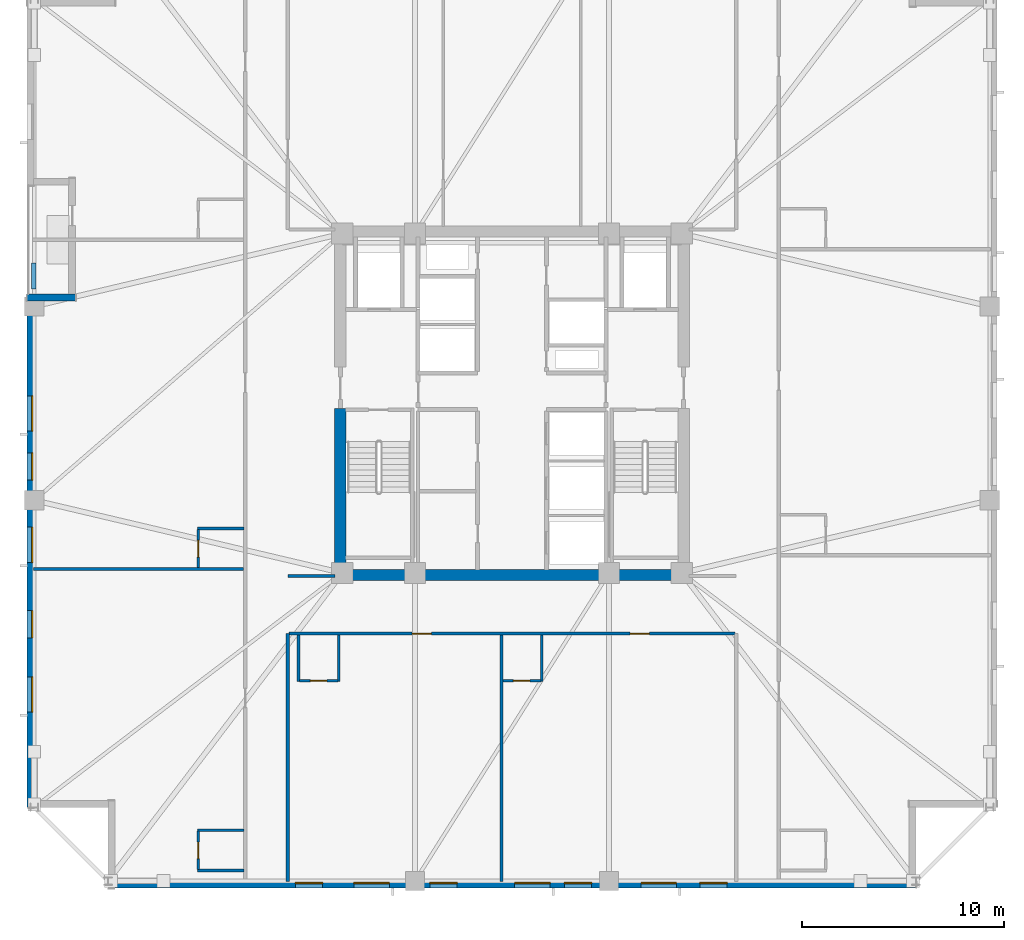
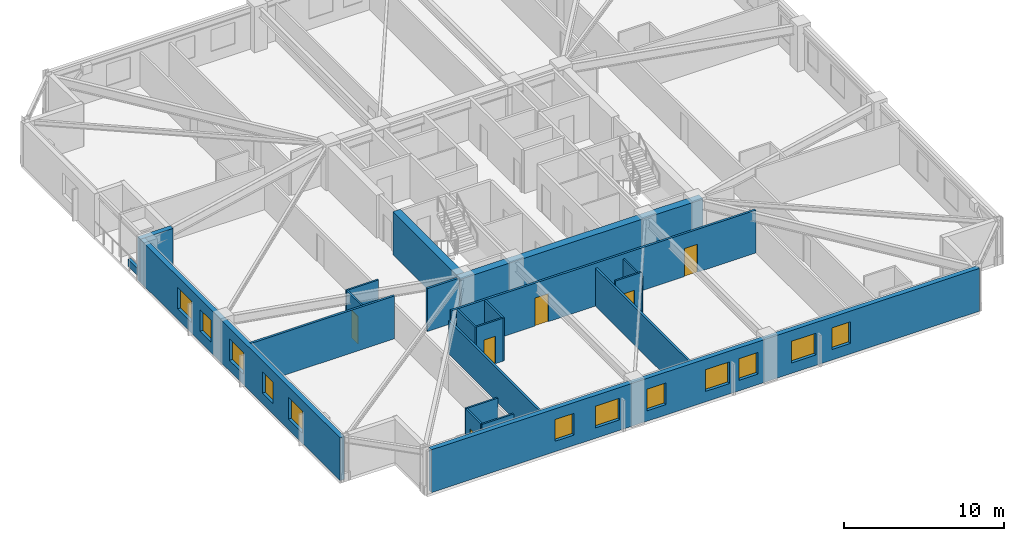
# One storey, part 2 of 10: 21 walls, 12 windows, 6 doors, 18 openings.
"""IFC4 building model written with IfcOpenShell, lengths in metres."""

from ifc_helpers import new_model, si_unit, direction, frame, frame_2d, origin, place, context, subcontext, project, spatial, rectangle, extrude, material, layer, layer_set, type_object, element, fill, save


model = new_model("IFC4")

# Units and contexts
model_context = context("Model", 3, precision=1e-05, world=origin(), true_north=direction((0.0, 1.0)))
body_context = subcontext(model_context, "Body", "Model", "MODEL_VIEW")
ifc_project = project(units=[si_unit("LENGTHUNIT", "METRE"), si_unit("AREAUNIT", "SQUARE_METRE"), si_unit("VOLUMEUNIT", "CUBIC_METRE"), si_unit("PLANEANGLEUNIT", "RADIAN"), si_unit("MASSUNIT", "GRAM", prefix="KILO")], contexts=[model_context])

# Site, building, storey
site_placement = place(None, origin())
site = spatial("IfcSite", under=ifc_project, at=site_placement, CompositionType="ELEMENT")
building_placement = place(site_placement, origin())
building = spatial("IfcBuilding", under=site, at=building_placement, Name="Cairnveth Concourse Tower", CompositionType="ELEMENT")
storey_placement = place(building_placement, frame((0.0, 0.0, 109.5)))
storey = spatial("IfcBuildingStorey", under=building, at=storey_placement, Name="L29", CompositionType="ELEMENT", Elevation=109.5)

# Walls
ifc_material_1 = material(Name="Gypsum Plasterboard Partition", Category="gypsum")
ifc_layer_1 = layer(ifc_material_1, 0.159912109375)
ifc_layer_set_1 = layer_set([ifc_layer_1], Name="Gypsum Plasterboard Partition")
wall_type_1 = type_object("IfcWallType", Name="ACOUSTIC PARTY WALL 180", PredefinedType="PARTITIONING", material=ifc_layer_set_1)
wall_1_placement = place(storey_placement, frame((40.89990234375, 15.324951171875, 0.0), z_axis=(0.0, 0.0, 1.0), x_axis=(0.0, 1.0, 0.0)))
element("IfcWall", 1, at=wall_1_placement, inside=storey, type_object=wall_type_1, Name="Interior Wall IW-L29-037", PredefinedType="PARTITIONING", context=body_context, shape_type="SweptSolid", body=[
    extrude(rectangle(XDim=12.275146484375, YDim=0.159912109375, at=frame_2d((6.1376953125, 0.0))), origin(), (0.0, 0.0, 1.0), 2.554931640625),
])
wall_2_placement = place(storey_placement, frame((40.89990234375, 30.449951171875, 0.0), z_axis=(0.0, 0.0, 1.0), x_axis=(1.0, 0.0, 0.0)))
element("IfcWall", 2, at=wall_2_placement, inside=storey, type_object=wall_type_1, Name="Interior Wall IW-L29-039", PredefinedType="PARTITIONING", context=body_context, shape_type="SweptSolid", body=[
    extrude(rectangle(XDim=2.335205078125, YDim=0.159912109375, at=frame_2d((1.16748046875, 0.0))), origin(), (0.0, 0.0, 1.0), 3.280029296875),
])

# Wall, openings, doors
wall_3_placement = place(storey_placement, frame((40.965087890625, 27.60009765625, 0.0), z_axis=(0.0, 0.0, 1.0), x_axis=(1.0, 0.0, 0.0)))
wall_3 = element("IfcWall", 3, at=wall_3_placement, inside=storey, type_object=wall_type_1, Name="Interior Wall IW-L29-046", PredefinedType="PARTITIONING", context=body_context, shape_type="SweptSolid", body=[
    extrude(rectangle(XDim=22.06982421875, YDim=0.159912109375, at=frame_2d((11.034912109375, 0.0))), origin(), (0.0, 0.0, 1.0), 3.280029296875),
])
opening_1_placement = place(wall_3_placement, frame((6.0849609375, 0.0, 0.0)))
opening_1 = element("IfcOpeningElement", 4, at=opening_1_placement, cuts=wall_3, Name="Opening ID09", PredefinedType="OPENING", context=body_context, shape_type="SweptSolid", body=[
    extrude(rectangle(XDim=0.9599609375, YDim=2.14990234375, at=frame_2d((0.47998046875, 1.074951171875))), frame((0.0, 0.08984375, 0.0), z_axis=(0.0, -1.0, 0.0), x_axis=(1.0, 0.0, 0.0)), (0.0, 0.0, 1.0), 0.179931640625),
])
opening_2_placement = place(wall_3_placement, frame((16.8798828125, 0.0, 0.0)))
opening_2 = element("IfcOpeningElement", 5, at=opening_2_placement, cuts=wall_3, Name="Opening ID09", PredefinedType="OPENING", context=body_context, shape_type="SweptSolid", body=[
    extrude(rectangle(XDim=0.9599609375, YDim=2.14990234375, at=frame_2d((0.47998046875, 1.074951171875))), frame((0.0, 0.08984375, 0.0), z_axis=(0.0, -1.0, 0.0), x_axis=(1.0, 0.0, 0.0)), (0.0, 0.0, 1.0), 0.179931640625),
])
ifc_material_2 = material(Name="Solid Core Hardwood Timber Leaf", Category="wood")
door_type_1 = type_object("IfcDoorType", Name="HOTEL ENTRANCE DOOR 960X2150", OperationType="NOTDEFINED", PredefinedType="DOOR", material=ifc_material_2)
door_1_placement = place(opening_1_placement, origin())
door_1 = element("IfcDoor", 6, at=door_1_placement, inside=storey, type_object=door_type_1, Name="Hotel Room Door L29-S1", OperationType="SINGLE_SWING_LEFT", OverallHeight=2.14990234375, OverallWidth=0.9599609375, PredefinedType="DOOR", context=body_context, shape_type="SweptSolid", body=[
    extrude(rectangle(XDim=0.9599609375, YDim=2.14990234375, at=frame_2d((0.47998046875, 1.074951171875))), frame((0.0, 0.02490234375, 0.0), z_axis=(0.0, -1.0, 0.0), x_axis=(1.0, 0.0, 0.0)), (0.0, 0.0, 1.0), 0.050048828125),
])
fill(opening_1, door_1)
door_2_placement = place(opening_2_placement, origin())
door_2 = element("IfcDoor", 7, at=door_2_placement, inside=storey, type_object=door_type_1, Name="Hotel Room Door L29-S2", OperationType="SINGLE_SWING_LEFT", OverallHeight=2.14990234375, OverallWidth=0.9599609375, PredefinedType="DOOR", context=body_context, shape_type="SweptSolid", body=[
    extrude(rectangle(XDim=0.9599609375, YDim=2.14990234375, at=frame_2d((0.47998046875, 1.074951171875))), frame((0.0, 0.02490234375, 0.0), z_axis=(0.0, -1.0, 0.0), x_axis=(1.0, 0.0, 0.0)), (0.0, 0.0, 1.0), 0.050048828125),
])
fill(opening_2, door_2)

# Walls
wall_4_placement = place(storey_placement, frame((51.47998046875, 15.324951171875, 0.0), z_axis=(0.0, 0.0, 1.0), x_axis=(0.0, 1.0, 0.0)))
element("IfcWall", 8, at=wall_4_placement, inside=storey, type_object=wall_type_1, Name="Interior Wall IW-L29-052", PredefinedType="PARTITIONING", context=body_context, shape_type="SweptSolid", body=[
    extrude(rectangle(XDim=12.195068359375, YDim=0.159912109375, at=frame_2d((6.09765625, 0.0))), origin(), (0.0, 0.0, 1.0), 2.89599609375),
])
wall_5_placement = place(storey_placement, frame((28.324951171875, 30.802001953125, 0.0), z_axis=(0.0, 0.0, 1.0), x_axis=(1.0, 0.0, 0.0)))
element("IfcWall", 9, at=wall_5_placement, inside=storey, type_object=wall_type_1, Name="Interior Wall IW-L29-058", PredefinedType="PARTITIONING", context=body_context, shape_type="SweptSolid", body=[
    extrude(rectangle(XDim=10.39501953125, YDim=0.159912109375, at=frame_2d((5.197509765625, 0.0))), origin(), (0.0, 0.0, 1.0), 3.280029296875),
])
ifc_material_3 = material(Name="Concrete N80 (80 MPa)", Category="concrete")
ifc_layer_2 = layer(ifc_material_3, 0.550048828125)
ifc_layer_set_2 = layer_set([ifc_layer_2], Name="Concrete N80 (80 MPa)")
wall_type_2 = type_object("IfcWallType", Name="CORE SHEAR WALL 550", PredefinedType="SHEAR", material=ifc_layer_set_2)
wall_6_placement = place(storey_placement, frame((43.22509765625, 30.5, 0.0), z_axis=(0.0, 0.0, 1.0), x_axis=(1.0, 0.0, 0.0)))
element("IfcWall", 10, at=wall_6_placement, inside=storey, type_object=wall_type_2, Name="Core South Shear Wall L29", PredefinedType="SHEAR", context=body_context, shape_type="SweptSolid", body=[
    extrude(rectangle(XDim=17.5498046875, YDim=0.550048828125, at=frame_2d((8.77490234375, 0.0))), origin(), (0.0, 0.0, 1.0), 3.280029296875),
])
wall_7_placement = place(storey_placement, frame((43.5, 30.764892578125, 0.0), z_axis=(0.0, 0.0, 1.0), x_axis=(0.0, 1.0, 0.0)))
element("IfcWall", 11, at=wall_7_placement, inside=storey, type_object=wall_type_2, Name="Core West Shear Wall S L29", PredefinedType="SHEAR", context=body_context, shape_type="SweptSolid", body=[
    extrude(rectangle(XDim=7.985107421875, YDim=0.550048828125, at=frame_2d((3.99267578125, 0.0))), origin(), (0.0, 0.0, 1.0), 3.280029296875),
])
ifc_material_4 = material(Name="Dressed Melbourne Bluestone Cladding", Category="masonry")
ifc_layer_3 = layer(ifc_material_4, 0.219970703125)
ifc_layer_set_3 = layer_set([ifc_layer_3], Name="Dressed Melbourne Bluestone Cladding")
wall_type_3 = type_object("IfcWallType", Name="TERRACE PLANTER CURB WALL 220", PredefinedType="PARAPET", material=ifc_layer_set_3)
wall_8_placement = place(storey_placement, frame((28.320068359375, 44.64990234375, 0.0), z_axis=(0.0, 0.0, 1.0), x_axis=(0.0, 1.0, 0.0)))
element("IfcWall", 12, at=wall_8_placement, inside=storey, type_object=wall_type_3, Name="Exterior Wall PLNT-L29-TERR", PredefinedType="PARAPET", context=body_context, shape_type="SweptSolid", body=[
    extrude(rectangle(XDim=1.300048828125, YDim=0.219970703125, at=frame_2d((0.64990234375, 0.0))), origin(), (0.0, 0.0, 1.0), 0.550048828125),
])
ifc_layer_4 = layer(ifc_material_1, 0.1298828125)
ifc_layer_set_4 = layer_set([ifc_layer_4], Name="Gypsum Plasterboard Partition")
wall_type_4 = type_object("IfcWallType", Name="WET AREA PARTITION 140", PredefinedType="PLUMBINGWALL", material=ifc_layer_set_4)
for number, where, z_axis, x_axis, name in (
    (13, (41.429931640625, 25.219970703125, 0.0), (0.0, 0.0, 1.0), (0.0, 1.0, 0.0), "Interior Wall IW-L29-049"),
    (14, (43.429931640625, 25.219970703125, 0.0), (0.0, 0.0, 1.0), (0.0, 1.0, 0.0), "Interior Wall IW-L29-050"),
):
    element("IfcWall", number, at=place(storey_placement, frame(where, z_axis=z_axis, x_axis=x_axis)), inside=storey, type_object=wall_type_4, Name=name, PredefinedType="PLUMBINGWALL", context=body_context, shape_type="SweptSolid", body=[
        extrude(rectangle(XDim=2.31494140625, YDim=0.1298828125, at=frame_2d((1.157470703125, 0.0))), origin(), (0.0, 0.0, 1.0), 3.280029296875),
    ])

# Wall, opening, door
wall_9_placement = place(storey_placement, frame((41.47998046875, 25.27001953125, 0.0), z_axis=(0.0, 0.0, 1.0), x_axis=(1.0, 0.0, 0.0)))
wall_9 = element("IfcWall", 15, at=wall_9_placement, inside=storey, type_object=wall_type_4, Name="Interior Wall IW-L29-051", PredefinedType="PLUMBINGWALL", context=body_context, shape_type="SweptSolid", body=[
    extrude(rectangle(XDim=1.89990234375, YDim=0.1298828125, at=frame_2d((0.949951171875, 0.0))), origin(), (0.0, 0.0, 1.0), 3.280029296875),
])
opening_3_placement = place(wall_9_placement, frame((0.5400390625, 0.0, 0.0)))
opening_3 = element("IfcOpeningElement", 16, at=opening_3_placement, cuts=wall_9, Name="Opening ID22", PredefinedType="OPENING", context=body_context, shape_type="SweptSolid", body=[
    extrude(rectangle(XDim=0.820068359375, YDim=2.10009765625, at=frame_2d((0.41015625, 1.050048828125))), frame((0.0, 0.074951171875, 0.0), z_axis=(0.0, -1.0, 0.0), x_axis=(1.0, 0.0, 0.0)), (0.0, 0.0, 1.0), 0.14990234375),
])
door_type_2 = type_object("IfcDoorType", Name="INTERIOR WC DOOR 820X2100", OperationType="NOTDEFINED", PredefinedType="DOOR", material=ifc_material_2)
door_3_placement = place(opening_3_placement, origin())
door_3 = element("IfcDoor", 17, at=door_3_placement, inside=storey, type_object=door_type_2, Name="En-Suite Door L29-S1", OperationType="SINGLE_SWING_RIGHT", OverallHeight=2.10009765625, OverallWidth=0.820068359375, PredefinedType="DOOR", context=body_context, shape_type="SweptSolid", body=[
    extrude(rectangle(XDim=0.820068359375, YDim=2.10009765625, at=frame_2d((0.41015625, 1.050048828125))), frame((0.0, 0.02490234375, 0.0), z_axis=(0.0, -1.0, 0.0), x_axis=(1.0, 0.0, 0.0)), (0.0, 0.0, 1.0), 0.050048828125),
])
fill(opening_3, door_3)

# Wall
wall_10_placement = place(storey_placement, frame((53.47998046875, 25.219970703125, 0.0), z_axis=(0.0, 0.0, 1.0), x_axis=(0.0, 1.0, 0.0)))
element("IfcWall", 18, at=wall_10_placement, inside=storey, type_object=wall_type_4, Name="Interior Wall IW-L29-053", PredefinedType="PLUMBINGWALL", context=body_context, shape_type="SweptSolid", body=[
    extrude(rectangle(XDim=2.31494140625, YDim=0.1298828125, at=frame_2d((1.157470703125, 0.0))), origin(), (0.0, 0.0, 1.0), 2.89599609375),
])

# Wall, opening, door
wall_11_placement = place(storey_placement, frame((51.544921875, 25.27001953125, 0.0), z_axis=(0.0, 0.0, 1.0), x_axis=(1.0, 0.0, 0.0)))
wall_11 = element("IfcWall", 19, at=wall_11_placement, inside=storey, type_object=wall_type_4, Name="Interior Wall IW-L29-054", PredefinedType="PLUMBINGWALL", context=body_context, shape_type="SweptSolid", body=[
    extrude(rectangle(XDim=1.885009765625, YDim=0.1298828125, at=frame_2d((0.9423828125, 0.0))), origin(), (0.0, 0.0, 1.0), 3.280029296875),
])
opening_4_placement = place(wall_11_placement, frame((0.52490234375, 0.0, 0.0)))
opening_4 = element("IfcOpeningElement", 20, at=opening_4_placement, cuts=wall_11, Name="Opening ID22", PredefinedType="OPENING", context=body_context, shape_type="SweptSolid", body=[
    extrude(rectangle(XDim=0.820068359375, YDim=2.10009765625, at=frame_2d((0.41015625, 1.050048828125))), frame((0.0, 0.074951171875, 0.0), z_axis=(0.0, -1.0, 0.0), x_axis=(1.0, 0.0, 0.0)), (0.0, 0.0, 1.0), 0.14990234375),
])
door_4_placement = place(opening_4_placement, origin())
door_4 = element("IfcDoor", 21, at=door_4_placement, inside=storey, type_object=door_type_2, Name="En-Suite Door L29-S2", OperationType="SINGLE_SWING_RIGHT", OverallHeight=2.10009765625, OverallWidth=0.820068359375, PredefinedType="DOOR", context=body_context, shape_type="SweptSolid", body=[
    extrude(rectangle(XDim=0.820068359375, YDim=2.10009765625, at=frame_2d((0.41015625, 1.050048828125))), frame((0.0, 0.02490234375, 0.0), z_axis=(0.0, -1.0, 0.0), x_axis=(1.0, 0.0, 0.0)), (0.0, 0.0, 1.0), 0.050048828125),
])
fill(opening_4, door_4)

# Walls
for number, where, z_axis, x_axis, name in (
    (22, (36.419921875, 15.8701171875, 0.0), (0.0, 0.0, 1.0), (1.0, 0.0, 0.0), "Interior Wall IW-L29-055"),
    (23, (36.419921875, 17.8701171875, 0.0), (0.0, 0.0, 1.0), (1.0, 0.0, 0.0), "Interior Wall IW-L29-056"),
):
    element("IfcWall", number, at=place(storey_placement, frame(where, z_axis=z_axis, x_axis=x_axis)), inside=storey, type_object=wall_type_4, Name=name, PredefinedType="PLUMBINGWALL", context=body_context, shape_type="SweptSolid", body=[
        extrude(rectangle(XDim=2.315185546875, YDim=0.1298828125, at=frame_2d((1.15771484375, 0.0))), origin(), (0.0, 0.0, 1.0), 3.280029296875),
    ])

# Wall, opening, door
wall_12_placement = place(storey_placement, frame((36.469970703125, 15.919921875, 0.0), z_axis=(0.0, 0.0, 1.0), x_axis=(0.0, 1.0, 0.0)))
wall_12 = element("IfcWall", 24, at=wall_12_placement, inside=storey, type_object=wall_type_4, Name="Interior Wall IW-L29-057", PredefinedType="PLUMBINGWALL", context=body_context, shape_type="SweptSolid", body=[
    extrude(rectangle(XDim=1.900146484375, YDim=0.1298828125, at=frame_2d((0.9501953125, 0.0))), origin(), (0.0, 0.0, 1.0), 3.280029296875),
])
opening_5_placement = place(wall_12_placement, frame((0.5400390625, 0.0, 0.0)))
opening_5 = element("IfcOpeningElement", 25, at=opening_5_placement, cuts=wall_12, Name="Opening ID22", PredefinedType="OPENING", context=body_context, shape_type="SweptSolid", body=[
    extrude(rectangle(XDim=0.820068359375, YDim=2.10009765625, at=frame_2d((0.41015625, 1.050048828125))), frame((0.0, 0.074951171875, 0.0), z_axis=(0.0, -1.0, 0.0), x_axis=(1.0, 0.0, 0.0)), (0.0, 0.0, 1.0), 0.14990234375),
])
door_5_placement = place(opening_5_placement, origin())
door_5 = element("IfcDoor", 26, at=door_5_placement, inside=storey, type_object=door_type_2, Name="En-Suite Door L29-W1", OperationType="SINGLE_SWING_RIGHT", OverallHeight=2.10009765625, OverallWidth=0.820068359375, PredefinedType="DOOR", context=body_context, shape_type="SweptSolid", body=[
    extrude(rectangle(XDim=0.820068359375, YDim=2.10009765625, at=frame_2d((0.41015625, 1.050048828125))), frame((0.0, 0.02490234375, 0.0), z_axis=(0.0, -1.0, 0.0), x_axis=(1.0, 0.0, 0.0)), (0.0, 0.0, 1.0), 0.050048828125),
])
fill(opening_5, door_5)

# Wall
wall_13_placement = place(storey_placement, frame((36.419921875, 32.802001953125, 0.0), z_axis=(0.0, 0.0, 1.0), x_axis=(1.0, 0.0, 0.0)))
element("IfcWall", 27, at=wall_13_placement, inside=storey, type_object=wall_type_4, Name="Interior Wall IW-L29-059", PredefinedType="PLUMBINGWALL", context=body_context, shape_type="SweptSolid", body=[
    extrude(rectangle(XDim=2.315185546875, YDim=0.1298828125, at=frame_2d((1.15771484375, 0.0))), origin(), (0.0, 0.0, 1.0), 3.280029296875),
])

# Wall, opening, door
wall_14_placement = place(storey_placement, frame((36.469970703125, 30.866943359375, 0.0), z_axis=(0.0, 0.0, 1.0), x_axis=(0.0, 1.0, 0.0)))
wall_14 = element("IfcWall", 28, at=wall_14_placement, inside=storey, type_object=wall_type_4, Name="Interior Wall IW-L29-060", PredefinedType="PLUMBINGWALL", context=body_context, shape_type="SweptSolid", body=[
    extrude(rectangle(XDim=1.885009765625, YDim=0.1298828125, at=frame_2d((0.9423828125, 0.0))), origin(), (0.0, 0.0, 1.0), 3.280029296875),
])
opening_6_placement = place(wall_14_placement, frame((0.52490234375, 0.0, 0.0)))
opening_6 = element("IfcOpeningElement", 29, at=opening_6_placement, cuts=wall_14, Name="Opening ID22", PredefinedType="OPENING", context=body_context, shape_type="SweptSolid", body=[
    extrude(rectangle(XDim=0.820068359375, YDim=2.10009765625, at=frame_2d((0.41015625, 1.050048828125))), frame((0.0, 0.074951171875, 0.0), z_axis=(0.0, -1.0, 0.0), x_axis=(1.0, 0.0, 0.0)), (0.0, 0.0, 1.0), 0.14990234375),
])
door_6_placement = place(opening_6_placement, origin())
door_6 = element("IfcDoor", 30, at=door_6_placement, inside=storey, type_object=door_type_2, Name="En-Suite Door L29-W2", OperationType="SINGLE_SWING_RIGHT", OverallHeight=2.10009765625, OverallWidth=0.820068359375, PredefinedType="DOOR", context=body_context, shape_type="SweptSolid", body=[
    extrude(rectangle(XDim=0.820068359375, YDim=2.10009765625, at=frame_2d((0.41015625, 1.050048828125))), frame((0.0, 0.02490234375, 0.0), z_axis=(0.0, -1.0, 0.0), x_axis=(1.0, 0.0, 0.0)), (0.0, 0.0, 1.0), 0.050048828125),
])
fill(opening_6, door_6)

# Wall, openings, windows
ifc_material_5 = material(Name="Hawthorn Red-Ochre Fired Clay Brick Masonry", Category="masonry")
ifc_layer_5 = layer(ifc_material_5, 0.340087890625)
ifc_layer_set_5 = layer_set([ifc_layer_5], Name="Hawthorn Red-Ochre Fired Clay Brick Masonry")
wall_type_5 = type_object("IfcWallType", Name="ZONE 2 BRICK PIER SPANDREL WALL 340", PredefinedType="SOLIDWALL", material=ifc_layer_set_5)
wall_15_placement = place(storey_placement, frame((72.0, 15.169921875, 0.0), z_axis=(0.0, 0.0, 1.0), x_axis=(-1.0, 0.0, 0.0)))
wall_15 = element("IfcWall", 31, at=wall_15_placement, inside=storey, type_object=wall_type_5, Name="Exterior Wall EW-L29-S09", PredefinedType="SOLIDWALL", context=body_context, shape_type="SweptSolid", body=[
    extrude(rectangle(XDim=39.681884765625, YDim=0.340087890625, at=frame_2d((19.8408203125, 0.0))), origin(), (0.0, 0.0, 1.0), 3.280029296875),
])
opening_7_placement = place(wall_15_placement, frame((9.355224609375, 0.0, 0.800048828125)))
opening_7 = element("IfcOpeningElement", 32, at=opening_7_placement, cuts=wall_15, Name="Opening W02", PredefinedType="OPENING", context=body_context, shape_type="SweptSolid", body=[
    extrude(rectangle(XDim=1.35009765625, YDim=1.659912109375, at=frame_2d((0.675048828125, 0.830078125))), frame((0.0, 0.179931640625, 0.0), z_axis=(0.0, -1.0, 0.0), x_axis=(1.0, 0.0, 0.0)), (0.0, 0.0, 1.0), 0.360107421875),
])
opening_8_placement = place(wall_15_placement, frame((11.85888671875, 0.0, 0.800048828125)))
opening_8 = element("IfcOpeningElement", 33, at=opening_8_placement, cuts=wall_15, Name="Opening W06", PredefinedType="OPENING", context=body_context, shape_type="SweptSolid", body=[
    extrude(rectangle(XDim=1.75, YDim=1.659912109375, at=frame_2d((0.875, 0.830078125))), frame((0.0, 0.179931640625, 0.0), z_axis=(0.0, -1.0, 0.0), x_axis=(1.0, 0.0, 0.0)), (0.0, 0.0, 1.0), 0.360107421875),
])
opening_9_placement = place(wall_15_placement, frame((16.0625, 0.0, 0.800048828125)))
opening_9 = element("IfcOpeningElement", 34, at=opening_9_placement, cuts=wall_15, Name="Opening W02", PredefinedType="OPENING", context=body_context, shape_type="SweptSolid", body=[
    extrude(rectangle(XDim=1.35009765625, YDim=1.659912109375, at=frame_2d((0.675048828125, 0.830078125))), frame((0.0, 0.179931640625, 0.0), z_axis=(0.0, -1.0, 0.0), x_axis=(1.0, 0.0, 0.0)), (0.0, 0.0, 1.0), 0.360107421875),
])
opening_10_placement = place(wall_15_placement, frame((18.115966796875, 0.0, 0.800048828125)))
opening_10 = element("IfcOpeningElement", 35, at=opening_10_placement, cuts=wall_15, Name="Opening W06", PredefinedType="OPENING", context=body_context, shape_type="SweptSolid", body=[
    extrude(rectangle(XDim=1.75, YDim=1.659912109375, at=frame_2d((0.875, 0.830078125))), frame((0.0, 0.179931640625, 0.0), z_axis=(0.0, -1.0, 0.0), x_axis=(1.0, 0.0, 0.0)), (0.0, 0.0, 1.0), 0.360107421875),
])
opening_11_placement = place(wall_15_placement, frame((22.719482421875, 0.0, 0.800048828125)))
opening_11 = element("IfcOpeningElement", 36, at=opening_11_placement, cuts=wall_15, Name="Opening W02", PredefinedType="OPENING", context=body_context, shape_type="SweptSolid", body=[
    extrude(rectangle(XDim=1.35009765625, YDim=1.659912109375, at=frame_2d((0.675048828125, 0.830078125))), frame((0.0, 0.179931640625, 0.0), z_axis=(0.0, -1.0, 0.0), x_axis=(1.0, 0.0, 0.0)), (0.0, 0.0, 1.0), 0.360107421875),
])
opening_12_placement = place(wall_15_placement, frame((26.072998046875, 0.0, 0.800048828125)))
opening_12 = element("IfcOpeningElement", 37, at=opening_12_placement, cuts=wall_15, Name="Opening W06", PredefinedType="OPENING", context=body_context, shape_type="SweptSolid", body=[
    extrude(rectangle(XDim=1.75, YDim=1.659912109375, at=frame_2d((0.875, 0.830078125))), frame((0.0, 0.179931640625, 0.0), z_axis=(0.0, -1.0, 0.0), x_axis=(1.0, 0.0, 0.0)), (0.0, 0.0, 1.0), 0.360107421875),
])
opening_13_placement = place(wall_15_placement, frame((29.376708984375, 0.0, 0.800048828125)))
opening_13 = element("IfcOpeningElement", 38, at=opening_13_placement, cuts=wall_15, Name="Opening W02", PredefinedType="OPENING", context=body_context, shape_type="SweptSolid", body=[
    extrude(rectangle(XDim=1.35009765625, YDim=1.659912109375, at=frame_2d((0.675048828125, 0.830078125))), frame((0.0, 0.179931640625, 0.0), z_axis=(0.0, -1.0, 0.0), x_axis=(1.0, 0.0, 0.0)), (0.0, 0.0, 1.0), 0.360107421875),
])
ifc_material_6 = material(Name="Double Glazed Low-E Clear Glass", Category="glass")
window_type_1 = type_object("IfcWindowType", Name="DEEP-SET GOTHIC LANCET WINDOW 1350X1800", PartitioningType="DOUBLE_PANEL_VERTICAL", PredefinedType="WINDOW", material=ifc_material_6)
window_1_placement = place(opening_7_placement, origin())
window_1 = element("IfcWindow", 39, at=window_1_placement, inside=storey, type_object=window_type_1, Name="Gothic Lancet Window L29-9-2", OverallHeight=1.659912109375, OverallWidth=1.35009765625, PartitioningType="SINGLE_PANEL", PredefinedType="WINDOW", context=body_context, shape_type="SweptSolid", body=[
    extrude(rectangle(XDim=1.35009765625, YDim=1.659912109375, at=frame_2d((0.675048828125, 0.830078125))), frame((0.0, -0.050048828125, 0.0), z_axis=(0.0, -1.0, 0.0), x_axis=(1.0, 0.0, 0.0)), (0.0, 0.0, 1.0), 0.06005859375),
])
fill(opening_7, window_1)
window_2_placement = place(opening_9_placement, origin())
window_2 = element("IfcWindow", 40, at=window_2_placement, inside=storey, type_object=window_type_1, Name="Gothic Lancet Window L29-9-4", OverallHeight=1.659912109375, OverallWidth=1.35009765625, PartitioningType="SINGLE_PANEL", PredefinedType="WINDOW", context=body_context, shape_type="SweptSolid", body=[
    extrude(rectangle(XDim=1.35009765625, YDim=1.659912109375, at=frame_2d((0.675048828125, 0.830078125))), frame((0.0, -0.050048828125, 0.0), z_axis=(0.0, -1.0, 0.0), x_axis=(1.0, 0.0, 0.0)), (0.0, 0.0, 1.0), 0.06005859375),
])
fill(opening_9, window_2)
window_3_placement = place(opening_11_placement, origin())
window_3 = element("IfcWindow", 41, at=window_3_placement, inside=storey, type_object=window_type_1, Name="Gothic Lancet Window L29-9-6", OverallHeight=1.659912109375, OverallWidth=1.35009765625, PartitioningType="SINGLE_PANEL", PredefinedType="WINDOW", context=body_context, shape_type="SweptSolid", body=[
    extrude(rectangle(XDim=1.35009765625, YDim=1.659912109375, at=frame_2d((0.675048828125, 0.830078125))), frame((0.0, -0.050048828125, 0.0), z_axis=(0.0, -1.0, 0.0), x_axis=(1.0, 0.0, 0.0)), (0.0, 0.0, 1.0), 0.06005859375),
])
fill(opening_11, window_3)
window_4_placement = place(opening_13_placement, origin())
window_4 = element("IfcWindow", 42, at=window_4_placement, inside=storey, type_object=window_type_1, Name="Gothic Lancet Window L29-9-8", OverallHeight=1.659912109375, OverallWidth=1.35009765625, PartitioningType="SINGLE_PANEL", PredefinedType="WINDOW", context=body_context, shape_type="SweptSolid", body=[
    extrude(rectangle(XDim=1.35009765625, YDim=1.659912109375, at=frame_2d((0.675048828125, 0.830078125))), frame((0.0, -0.050048828125, 0.0), z_axis=(0.0, -1.0, 0.0), x_axis=(1.0, 0.0, 0.0)), (0.0, 0.0, 1.0), 0.06005859375),
])
fill(opening_13, window_4)
window_type_2 = type_object("IfcWindowType", Name="DEEP-SET HOTEL SUITE WINDOW 1750X1800", PartitioningType="DOUBLE_PANEL_VERTICAL", PredefinedType="WINDOW", material=ifc_material_6)
window_5_placement = place(opening_8_placement, origin())
window_5 = element("IfcWindow", 43, at=window_5_placement, inside=storey, type_object=window_type_2, Name="Gothic Lancet Window L29-9-3", OverallHeight=1.659912109375, OverallWidth=1.75, PartitioningType="SINGLE_PANEL", PredefinedType="WINDOW", context=body_context, shape_type="SweptSolid", body=[
    extrude(rectangle(XDim=1.75, YDim=1.659912109375, at=frame_2d((0.875, 0.830078125))), frame((0.0, -0.050048828125, 0.0), z_axis=(0.0, -1.0, 0.0), x_axis=(1.0, 0.0, 0.0)), (0.0, 0.0, 1.0), 0.06005859375),
])
fill(opening_8, window_5)
window_6_placement = place(opening_10_placement, origin())
window_6 = element("IfcWindow", 44, at=window_6_placement, inside=storey, type_object=window_type_2, Name="Gothic Lancet Window L29-9-5", OverallHeight=1.659912109375, OverallWidth=1.75, PartitioningType="SINGLE_PANEL", PredefinedType="WINDOW", context=body_context, shape_type="SweptSolid", body=[
    extrude(rectangle(XDim=1.75, YDim=1.659912109375, at=frame_2d((0.875, 0.830078125))), frame((0.0, -0.050048828125, 0.0), z_axis=(0.0, -1.0, 0.0), x_axis=(1.0, 0.0, 0.0)), (0.0, 0.0, 1.0), 0.06005859375),
])
fill(opening_10, window_6)
window_7_placement = place(opening_12_placement, origin())
window_7 = element("IfcWindow", 45, at=window_7_placement, inside=storey, type_object=window_type_2, Name="Gothic Lancet Window L29-9-7", OverallHeight=1.659912109375, OverallWidth=1.75, PartitioningType="SINGLE_PANEL", PredefinedType="WINDOW", context=body_context, shape_type="SweptSolid", body=[
    extrude(rectangle(XDim=1.75, YDim=1.659912109375, at=frame_2d((0.875, 0.830078125))), frame((0.0, -0.050048828125, 0.0), z_axis=(0.0, -1.0, 0.0), x_axis=(1.0, 0.0, 0.0)), (0.0, 0.0, 1.0), 0.06005859375),
])
fill(opening_12, window_7)

wall_16_placement = place(storey_placement, frame((28.169921875, 19.0, 0.0), z_axis=(0.0, 0.0, 1.0), x_axis=(0.0, 1.0, 0.0)))
wall_16 = element("IfcWall", 46, at=wall_16_placement, inside=storey, type_object=wall_type_5, Name="Exterior Wall EW-L29-S12", PredefinedType="SOLIDWALL", context=body_context, shape_type="SweptSolid", body=[
    extrude(rectangle(XDim=25.08203125, YDim=0.340087890625, at=frame_2d((12.541015625, 0.0))), origin(), (0.0, 0.0, 1.0), 3.280029296875),
])
opening_14_placement = place(wall_16_placement, frame((4.713134765625, 0.0, 0.800048828125)))
opening_14 = element("IfcOpeningElement", 47, at=opening_14_placement, cuts=wall_16, Name="Opening W06", PredefinedType="OPENING", context=body_context, shape_type="SweptSolid", body=[
    extrude(rectangle(XDim=1.75, YDim=1.659912109375, at=frame_2d((0.875, 0.830078125))), frame((0.0, 0.179931640625, 0.0), z_axis=(0.0, -1.0, 0.0), x_axis=(1.0, 0.0, 0.0)), (0.0, 0.0, 1.0), 0.360107421875),
])
opening_15_placement = place(wall_16_placement, frame((8.3896484375, 0.0, 0.800048828125)))
opening_15 = element("IfcOpeningElement", 48, at=opening_15_placement, cuts=wall_16, Name="Opening W02", PredefinedType="OPENING", context=body_context, shape_type="SweptSolid", body=[
    extrude(rectangle(XDim=1.35009765625, YDim=1.659912109375, at=frame_2d((0.675048828125, 0.830078125))), frame((0.0, 0.179931640625, 0.0), z_axis=(0.0, -1.0, 0.0), x_axis=(1.0, 0.0, 0.0)), (0.0, 0.0, 1.0), 0.360107421875),
])
opening_16_placement = place(wall_16_placement, frame((12.115966796875, 0.0, 0.800048828125)))
opening_16 = element("IfcOpeningElement", 49, at=opening_16_placement, cuts=wall_16, Name="Opening W06", PredefinedType="OPENING", context=body_context, shape_type="SweptSolid", body=[
    extrude(rectangle(XDim=1.75, YDim=1.659912109375, at=frame_2d((0.875, 0.830078125))), frame((0.0, 0.179931640625, 0.0), z_axis=(0.0, -1.0, 0.0), x_axis=(1.0, 0.0, 0.0)), (0.0, 0.0, 1.0), 0.360107421875),
])
opening_17_placement = place(wall_16_placement, frame((16.1923828125, 0.0, 0.800048828125)))
opening_17 = element("IfcOpeningElement", 50, at=opening_17_placement, cuts=wall_16, Name="Opening W02", PredefinedType="OPENING", context=body_context, shape_type="SweptSolid", body=[
    extrude(rectangle(XDim=1.35009765625, YDim=1.659912109375, at=frame_2d((0.675048828125, 0.830078125))), frame((0.0, 0.179931640625, 0.0), z_axis=(0.0, -1.0, 0.0), x_axis=(1.0, 0.0, 0.0)), (0.0, 0.0, 1.0), 0.360107421875),
])
opening_18_placement = place(wall_16_placement, frame((18.618896484375, 0.0, 0.800048828125)))
opening_18 = element("IfcOpeningElement", 51, at=opening_18_placement, cuts=wall_16, Name="Opening W06", PredefinedType="OPENING", context=body_context, shape_type="SweptSolid", body=[
    extrude(rectangle(XDim=1.75, YDim=1.659912109375, at=frame_2d((0.875, 0.830078125))), frame((0.0, 0.179931640625, 0.0), z_axis=(0.0, -1.0, 0.0), x_axis=(1.0, 0.0, 0.0)), (0.0, 0.0, 1.0), 0.360107421875),
])
window_8_placement = place(opening_15_placement, origin())
window_8 = element("IfcWindow", 52, at=window_8_placement, inside=storey, type_object=window_type_1, Name="Gothic Lancet Window L29-12-2", OverallHeight=1.659912109375, OverallWidth=1.35009765625, PartitioningType="SINGLE_PANEL", PredefinedType="WINDOW", context=body_context, shape_type="SweptSolid", body=[
    extrude(rectangle(XDim=1.35009765625, YDim=1.659912109375, at=frame_2d((0.675048828125, 0.830078125))), frame((0.0, -0.050048828125, 0.0), z_axis=(0.0, -1.0, 0.0), x_axis=(1.0, 0.0, 0.0)), (0.0, 0.0, 1.0), 0.06005859375),
])
fill(opening_15, window_8)
window_9_placement = place(opening_17_placement, origin())
window_9 = element("IfcWindow", 53, at=window_9_placement, inside=storey, type_object=window_type_1, Name="Gothic Lancet Window L29-12-4", OverallHeight=1.659912109375, OverallWidth=1.35009765625, PartitioningType="SINGLE_PANEL", PredefinedType="WINDOW", context=body_context, shape_type="SweptSolid", body=[
    extrude(rectangle(XDim=1.35009765625, YDim=1.659912109375, at=frame_2d((0.675048828125, 0.830078125))), frame((0.0, -0.050048828125, 0.0), z_axis=(0.0, -1.0, 0.0), x_axis=(1.0, 0.0, 0.0)), (0.0, 0.0, 1.0), 0.06005859375),
])
fill(opening_17, window_9)
window_10_placement = place(opening_14_placement, origin())
window_10 = element("IfcWindow", 54, at=window_10_placement, inside=storey, type_object=window_type_2, Name="Gothic Lancet Window L29-12-1", OverallHeight=1.659912109375, OverallWidth=1.75, PartitioningType="SINGLE_PANEL", PredefinedType="WINDOW", context=body_context, shape_type="SweptSolid", body=[
    extrude(rectangle(XDim=1.75, YDim=1.659912109375, at=frame_2d((0.875, 0.830078125))), frame((0.0, -0.050048828125, 0.0), z_axis=(0.0, -1.0, 0.0), x_axis=(1.0, 0.0, 0.0)), (0.0, 0.0, 1.0), 0.06005859375),
])
fill(opening_14, window_10)
window_11_placement = place(opening_16_placement, origin())
window_11 = element("IfcWindow", 55, at=window_11_placement, inside=storey, type_object=window_type_2, Name="Gothic Lancet Window L29-12-3", OverallHeight=1.659912109375, OverallWidth=1.75, PartitioningType="SINGLE_PANEL", PredefinedType="WINDOW", context=body_context, shape_type="SweptSolid", body=[
    extrude(rectangle(XDim=1.75, YDim=1.659912109375, at=frame_2d((0.875, 0.830078125))), frame((0.0, -0.050048828125, 0.0), z_axis=(0.0, -1.0, 0.0), x_axis=(1.0, 0.0, 0.0)), (0.0, 0.0, 1.0), 0.06005859375),
])
fill(opening_16, window_11)
window_12_placement = place(opening_18_placement, origin())
window_12 = element("IfcWindow", 56, at=window_12_placement, inside=storey, type_object=window_type_2, Name="Gothic Lancet Window L29-12-5", OverallHeight=1.659912109375, OverallWidth=1.75, PartitioningType="SINGLE_PANEL", PredefinedType="WINDOW", context=body_context, shape_type="SweptSolid", body=[
    extrude(rectangle(XDim=1.75, YDim=1.659912109375, at=frame_2d((0.875, 0.830078125))), frame((0.0, -0.050048828125, 0.0), z_axis=(0.0, -1.0, 0.0), x_axis=(1.0, 0.0, 0.0)), (0.0, 0.0, 1.0), 0.06005859375),
])
fill(opening_18, window_12)

# Wall
wall_17_placement = place(storey_placement, frame((28.0, 44.22998046875, 0.0), z_axis=(0.0, 0.0, 1.0), x_axis=(1.0, 0.0, 0.0)))
element("IfcWall", 57, at=wall_17_placement, inside=storey, type_object=wall_type_5, Name="Exterior Wall EW-L29-S13", PredefinedType="SOLIDWALL", context=body_context, shape_type="SweptSolid", body=[
    extrude(rectangle(XDim=2.389892578125, YDim=0.340087890625, at=frame_2d((1.19482421875, 0.0))), origin(), (0.0, 0.0, 1.0), 3.280029296875),
])

save(model, "model.ifc")
